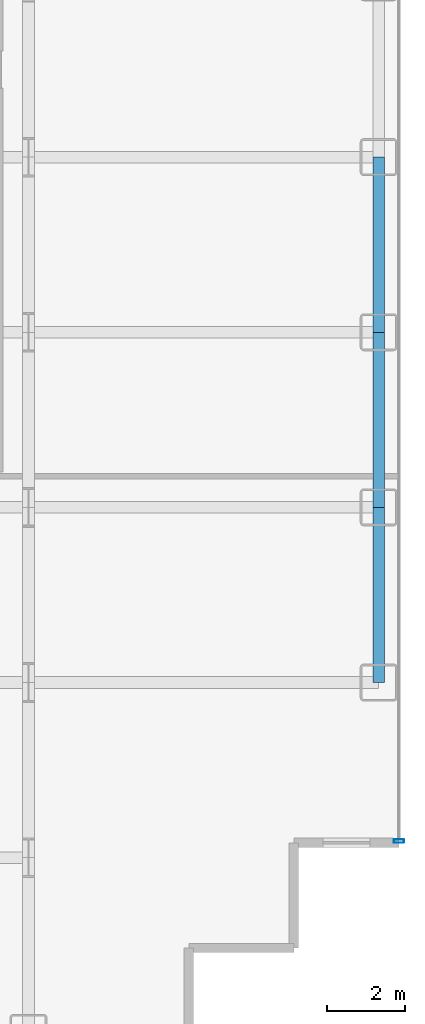
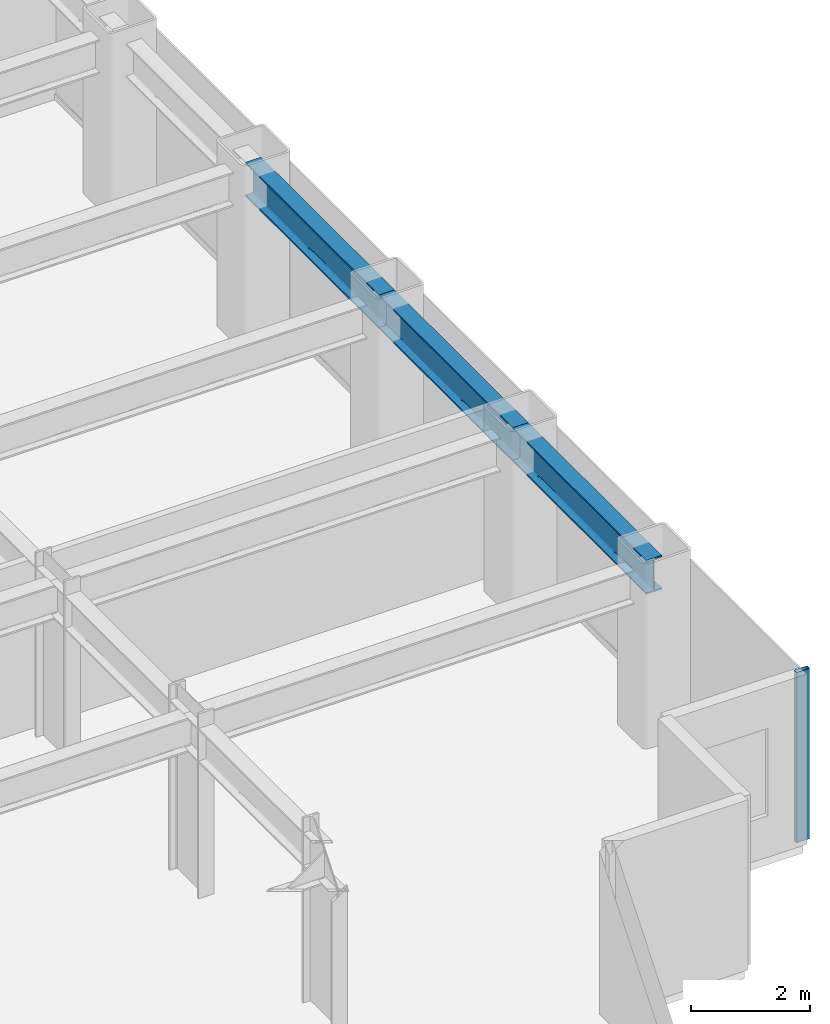
# One storey, part 16 of 26: 3 beams, 1 member, 1 element without a shape of its own.
"""IFC4 building model written with IfcOpenShell, lengths in metres."""

from ifc_helpers import new_model, si_unit, direction, frame, origin, origin_2d, place, context, subcontext, project, spatial, hollow_rectangle, i_section, extrude, source, transform, mapped, material, layer, layer_set, material_profile, profile_set, type_object, element, aggregate, save


model = new_model("IFC4")

# Units and contexts
model_context = context("Model", 3, precision=1e-05, world=origin(), true_north=direction((0.0, 1.0)))
body_context = subcontext(model_context, "Body", "Model", "MODEL_VIEW")
ifc_project = project(units=[si_unit("LENGTHUNIT", "METRE"), si_unit("AREAUNIT", "SQUARE_METRE"), si_unit("VOLUMEUNIT", "CUBIC_METRE"), si_unit("PLANEANGLEUNIT", "RADIAN"), si_unit("MASSUNIT", "GRAM", prefix="KILO")], contexts=[model_context])

# Site, building, storey
site_placement = place(None, origin())
site = spatial("IfcSite", under=ifc_project, at=site_placement, CompositionType="ELEMENT")
building_placement = place(site_placement, origin())
building = spatial("IfcBuilding", under=site, at=building_placement, Name="Nefas-Gora Pilgrimage Tower", CompositionType="ELEMENT")
storey_placement = place(building_placement, frame((0.0, 0.0, 82.39990234375)))
storey = spatial("IfcBuildingStorey", under=building, at=storey_placement, Name="L19", CompositionType="ELEMENT", Elevation=82.39990234375)

# Beams
ifc_material_1 = material(Name="Steel S355", Category="steel")
ifc_material_profile_1 = material_profile(ifc_material_1, i_section(OverallWidth=0.300048828125, OverallDepth=0.699951171875, WebThickness=0.01708984375, FlangeThickness=0.031982421875, FilletRadius=0.027099609375, at=origin_2d()), Name="HEB 700")
ifc_profile_set_1 = profile_set([ifc_material_profile_1], Name="Steel S355")
beam_type = type_object("IfcBeamType", Name="BM-SPN-HEB600", PredefinedType="SPANDREL", material=ifc_profile_set_1)
shared_shape_1 = source(origin(), body_context, "Body", "SweptSolid", [
    extrude(i_section(OverallWidth=0.300048828125, OverallDepth=0.699951171875, WebThickness=0.01708984375, FlangeThickness=0.031982421875, FilletRadius=0.027099609375, at=origin_2d()), origin(), (0.0, 0.0, 1.0), 4.5),
])
for number, where, z_axis, x_axis, name in (
    (1, (33.75, -13.5, 3.150146484375), (0.0, 1.0, 0.0), (-1.0, 0.0, 0.0), "L19 SP-01 beam"),
    (2, (33.75, -9.0, 3.150146484375), (0.0, 1.0, 0.0), (-1.0, 0.0, 0.0), "L19 SP-01 beam"),
    (3, (33.75, -4.5, 3.150146484375), (0.0, 1.0, 0.0), (-1.0, 0.0, 0.0), "L19 SP-01 beam"),
):
    element("IfcBeam", number, at=place(storey_placement, frame(where, z_axis=z_axis, x_axis=x_axis)), inside=storey, type_object=beam_type, Name=name, PredefinedType="SPANDREL", context=body_context, shape_type="MappedRepresentation", body=[
        mapped(shared_shape_1, transform((0.0, 0.0, 0.0), x_axis=(1.0, 0.0, 0.0), y_axis=(0.0, 1.0, 0.0), z_axis=(0.0, 0.0, 1.0), scale=1.0)),
    ])

# Curtain wall, member
ifc_material_2 = material(Name="Dark ceramic-fritted solar-control aluminium-glass curtain wall", Category="aluminium")
ifc_layer = layer(ifc_material_2, 0.219970703125)
ifc_layer_set = layer_set([ifc_layer], Name="Dark ceramic-fritted solar-control aluminium-glass curtain wall")
curtain_wall_type = type_object("IfcCurtainWallType", Name="CW-SYS-2", PredefinedType="NOTDEFINED", material=ifc_layer_set)
curtain_wall_placement = place(storey_placement, origin())
curtain_wall = element("IfcCurtainWall", 4, at=curtain_wall_placement, inside=storey, type_object=curtain_wall_type, Name="L19 Unitised Curtain Wall CW2", PredefinedType="NOTDEFINED")
ifc_material_3 = material(Name="Anodised architectural aluminium", Category="aluminium")
ifc_material_profile_2 = material_profile(ifc_material_3, hollow_rectangle(XDim=0.090087890625, YDim=0.260009765625, WallThickness=0.006103515625, InnerFilletRadius=0.006103515625, OuterFilletRadius=0.011962890625, at=origin_2d()), Name="ALU MULLION 90x260")
ifc_profile_set_2 = profile_set([ifc_material_profile_2], Name="Anodised architectural aluminium")
member_type = type_object("IfcMemberType", Name="CWM-MUL-2", PredefinedType="MULLION", material=ifc_profile_set_2)
shared_shape_2 = source(origin(), body_context, "Body", "SweptSolid", [
    extrude(hollow_rectangle(XDim=0.090087890625, YDim=0.260009765625, WallThickness=0.006103515625, InnerFilletRadius=0.006103515625, OuterFilletRadius=0.011962890625, at=origin_2d()), origin(), (0.0, 0.0, 1.0), 3.5),
])
member_placement = place(storey_placement, frame((34.27001953125, -17.574951171875, 0.0), z_axis=(0.0, 0.0, 1.0), x_axis=(0.0, 1.0, 0.0)))
member = element("IfcMember", 5, at=member_placement, type_object=member_type, Name="CW2 Mullion 1", PredefinedType="MULLION", context=body_context, shape_type="MappedRepresentation", body=[
    mapped(shared_shape_2, transform((0.0, 0.0, 0.0), x_axis=(1.0, 0.0, 0.0), y_axis=(0.0, 1.0, 0.0), z_axis=(0.0, 0.0, 1.0), scale=1.0)),
])
aggregate(curtain_wall, [member])

save(model, "model.ifc")
